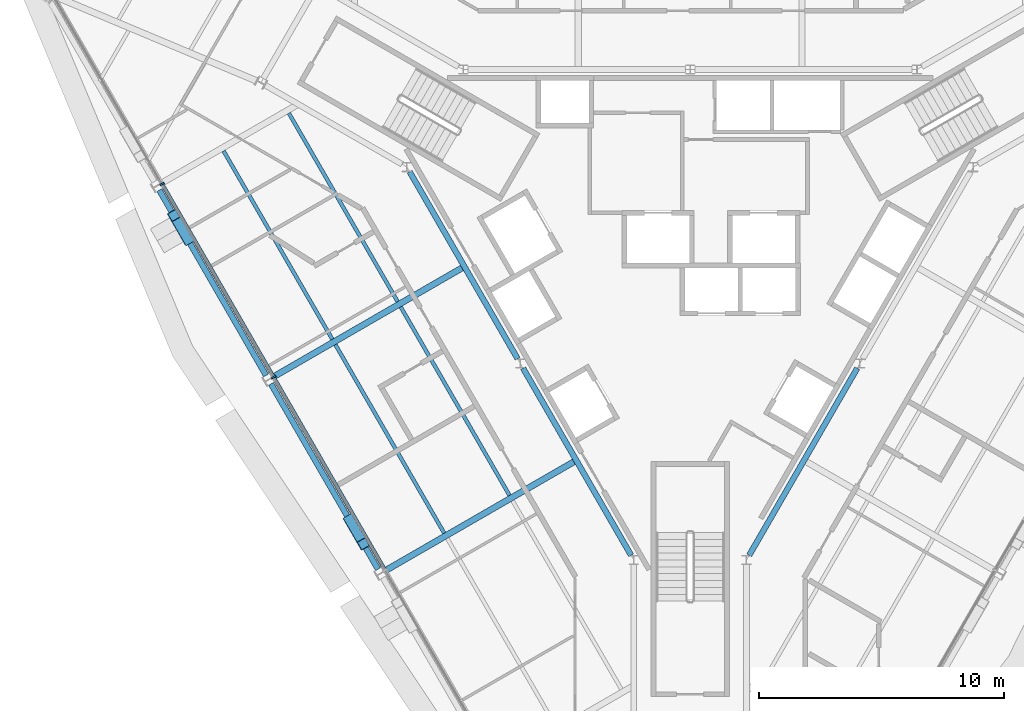
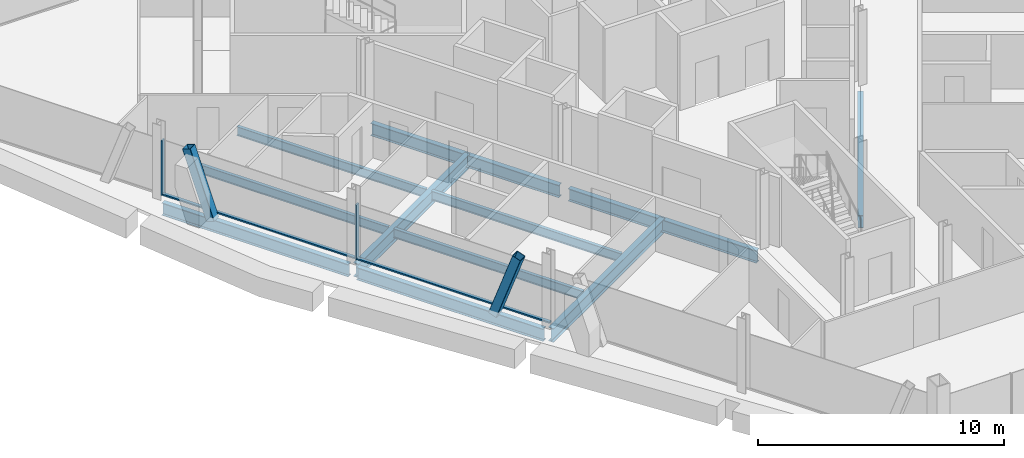
# One storey, part 4 of 15: 11 beams, 6 members, 1 element without a shape of its own.
"""IFC4 building model written with IfcOpenShell, lengths in metres."""

from ifc_helpers import new_model, si_unit, direction, frame, origin, origin_2d, place, context, subcontext, project, spatial, rectangle, hollow_rectangle, i_section, extrude, material, material_profile, profile_set, type_object, element, aggregate, save


model = new_model("IFC4")

# Units and contexts
model_context = context("Model", 3, precision=1e-05, world=origin(), true_north=direction((0.0, 1.0)))
body_context = subcontext(model_context, "Body", "Model", "MODEL_VIEW")
ifc_project = project(units=[si_unit("LENGTHUNIT", "METRE"), si_unit("AREAUNIT", "SQUARE_METRE"), si_unit("VOLUMEUNIT", "CUBIC_METRE"), si_unit("PLANEANGLEUNIT", "RADIAN"), si_unit("MASSUNIT", "GRAM", prefix="KILO")], contexts=[model_context])

# Site, building, storey
site_placement = place(None, origin())
site = spatial("IfcSite", under=ifc_project, at=site_placement, CompositionType="ELEMENT")
building_placement = place(site_placement, origin())
building = spatial("IfcBuilding", under=site, at=building_placement, Name="Verrane Prism Tower", CompositionType="ELEMENT")
storey_placement = place(building_placement, frame((0.0, 0.0, 250.800048828125)))
storey = spatial("IfcBuildingStorey", under=building, at=storey_placement, Name="L63", CompositionType="ELEMENT", Elevation=250.800048828125)

# Beams
ifc_material_1 = material(Name="Steel A992", Category="steel")
ifc_material_profile_1 = material_profile(ifc_material_1, i_section(OverallWidth=0.23046875, OverallDepth=0.6171875, WebThickness=0.01318359375, FlangeThickness=0.022216796875, FilletRadius=0.012939453125, at=origin_2d()), Name="W24x94")
ifc_profile_set_1 = profile_set([ifc_material_profile_1], Name="Steel A992")
beam_type_1 = type_object("IfcBeamType", Name="Core ring girder W24x94", PredefinedType="BEAM", material=ifc_profile_set_1)
beam_1_placement = place(storey_placement, frame((-11.448486328125, 3.826904296875, -0.55859375), z_axis=(0.499967007444, -0.866044451208, 0.0), x_axis=(0.866044451208, 0.499967007444, 0.0)))
element("IfcBeam", 1, at=beam_1_placement, inside=storey, type_object=beam_type_1, Name="Core ring girder L63", PredefinedType="BEAM", context=body_context, shape_type="SweptSolid", body=[
    extrude(i_section(OverallWidth=0.23046875, OverallDepth=0.6171875, WebThickness=0.01318359375, FlangeThickness=0.022216796875, FilletRadius=0.012939453125, at=origin_2d()), origin(), (0.0, 0.0, 1.0), 8.814453125),
])
for number, where, z_axis, x_axis, name in (
    (2, (-6.818603515625, -4.193115234375, -0.55859375), (0.499987781028, -0.866032458297, 0.0), (0.866032458297, 0.499987781028, 0.0), "Core ring girder L63"),
    (3, (2.411376953125, -11.826904296875, -0.55859375), (0.499987781028, 0.866032458297, 0.0), (-0.866032458297, 0.499987781028, 0.0), "Core ring girder L63"),
):
    element("IfcBeam", number, at=place(storey_placement, frame(where, z_axis=z_axis, x_axis=x_axis)), inside=storey, type_object=beam_type_1, Name=name, PredefinedType="BEAM", context=body_context, shape_type="SweptSolid", body=[
        extrude(i_section(OverallWidth=0.23046875, OverallDepth=0.6171875, WebThickness=0.01318359375, FlangeThickness=0.022216796875, FilletRadius=0.012939453125, at=origin_2d()), origin(), (0.0, 0.0, 1.0), 8.814697265625),
    ])

# Members
ifc_material_2 = material(Name="Steel A500 Grade C", Category="steel")
ifc_material_profile_2 = material_profile(ifc_material_2, hollow_rectangle(XDim=0.406494140625, YDim=0.406494140625, WallThickness=0.01904296875, InnerFilletRadius=0.009521484375, OuterFilletRadius=0.028564453125, at=origin_2d()), Name="HSS16x16x3/4")
ifc_profile_set_2 = profile_set([ifc_material_profile_2], Name="Steel A500 Grade C")
member_type_1 = type_object("IfcMemberType", Name="Facade brace HSS16x16x3/4", PredefinedType="BRACE", material=ifc_profile_set_2)
for number, where, z_axis, x_axis, name in (
    (4, (-20.511474609375, 1.06689453125, -0.216796875), (-0.166044267249, 0.28807419728, 0.943102623353), (-0.86638389334, -0.499378563178, 0.0), "Facade brace SW1 L63"),
    (5, (-13.9013671875, -10.386962890625, -0.216796875), (0.16639794037, -0.287990894198, 0.943065729575), (0.865860903713, 0.500284814302, 0.0), "Facade brace SW2 L63"),
):
    element("IfcMember", number, at=place(storey_placement, frame(where, z_axis=z_axis, x_axis=x_axis)), inside=storey, type_object=member_type_1, Name=name, PredefinedType="BRACE", context=body_context, shape_type="SweptSolid", body=[
        extrude(hollow_rectangle(XDim=0.406494140625, YDim=0.406494140625, WallThickness=0.01904296875, InnerFilletRadius=0.009521484375, OuterFilletRadius=0.028564453125, at=origin_2d()), origin(), (0.0, 0.0, 1.0), 3.38916015625),
    ])

# Beams
ifc_material_3 = material(Name="Steel A992", Category="steel")
ifc_material_profile_3 = material_profile(ifc_material_3, i_section(OverallWidth=0.15234375, OverallDepth=0.449462890625, WebThickness=0.007568359375, FlangeThickness=0.0107421875, FilletRadius=0.01025390625, at=origin_2d()), Name="W18x35")
ifc_profile_set_3 = profile_set([ifc_material_profile_3], Name="Steel A992")
beam_type_2 = type_object("IfcBeamType", Name="Floor beam W18x35", PredefinedType="BEAM", material=ifc_profile_set_3)
beam_2_placement = place(storey_placement, frame((-11.940185546875, -1.469970703125, -0.384765625), z_axis=(-0.500000279077, 0.866025242659, 0.0), x_axis=(-0.866025242659, -0.500000279077, 0.0)))
element("IfcBeam", 6, at=beam_2_placement, inside=storey, type_object=beam_type_2, Name="Floor beam L63", PredefinedType="BEAM", context=body_context, shape_type="SweptSolid", body=[
    extrude(i_section(OverallWidth=0.15234375, OverallDepth=0.449462890625, WebThickness=0.007568359375, FlangeThickness=0.0107421875, FilletRadius=0.01025390625, at=origin_2d()), origin(), (0.0, 0.0, 1.0), 8.87451171875),
])
beam_3_placement = place(storey_placement, frame((-14.606689453125, -3.010009765625, -0.384765625), z_axis=(-0.500005807019, 0.866022051074, 0.0), x_axis=(-0.866022051074, -0.500005807019, 0.0)))
element("IfcBeam", 7, at=beam_3_placement, inside=storey, type_object=beam_type_2, Name="Floor beam L63", PredefinedType="BEAM", context=body_context, shape_type="SweptSolid", body=[
    extrude(i_section(OverallWidth=0.15234375, OverallDepth=0.449462890625, WebThickness=0.007568359375, FlangeThickness=0.0107421875, FilletRadius=0.01025390625, at=origin_2d()), origin(), (0.0, 0.0, 1.0), 8.87548828125),
])
beam_4_placement = place(storey_placement, frame((-7.371337890625, -9.383544921875, -0.384765625), z_axis=(-0.499999195485, 0.866025868271, 0.0), x_axis=(-0.866025868271, -0.499999195485, 0.0)))
element("IfcBeam", 8, at=beam_4_placement, inside=storey, type_object=beam_type_2, Name="Floor beam L63", PredefinedType="BEAM", context=body_context, shape_type="SweptSolid", body=[
    extrude(i_section(OverallWidth=0.15234375, OverallDepth=0.449462890625, WebThickness=0.007568359375, FlangeThickness=0.0107421875, FilletRadius=0.01025390625, at=origin_2d()), origin(), (0.0, 0.0, 1.0), 8.8837890625),
])
beam_5_placement = place(storey_placement, frame((-10.03857421875, -10.92236328125, -0.384765625), z_axis=(-0.499996860793, 0.866027216199, 0.0), x_axis=(-0.866027216199, -0.499996860793, 0.0)))
element("IfcBeam", 9, at=beam_5_placement, inside=storey, type_object=beam_type_2, Name="Floor beam L63", PredefinedType="BEAM", context=body_context, shape_type="SweptSolid", body=[
    extrude(i_section(OverallWidth=0.15234375, OverallDepth=0.449462890625, WebThickness=0.007568359375, FlangeThickness=0.0107421875, FilletRadius=0.01025390625, at=origin_2d()), origin(), (0.0, 0.0, 1.0), 8.88232421875),
])

# Curtain wall, members
ifc_material_4 = material(Name="Aluminium framed insulated glazing", Category="aluminium")
curtain_wall_type = type_object("IfcCurtainWallType", Name="Curtain wall CW-A 8400 module", PredefinedType="NOTDEFINED", material=ifc_material_4)
curtain_wall_placement = place(storey_placement, origin())
curtain_wall = element("IfcCurtainWall", 10, at=curtain_wall_placement, inside=storey, type_object=curtain_wall_type, Name="Glazed curtain wall south-west face L63", PredefinedType="NOTDEFINED")
ifc_material_5 = material(Name="Aluminium alloy 6063-T6", Category="aluminium")
ifc_material_profile_4 = material_profile(ifc_material_5, rectangle(XDim=0.199951171875, YDim=0.070068359375, at=origin_2d()), Name="Mullion 70x200 aluminium")
ifc_profile_set_4 = profile_set([ifc_material_profile_4], Name="Aluminium alloy 6063-T6")
member_type_2 = type_object("IfcMemberType", Name="Mullion 70x200 aluminium", PredefinedType="MULLION", material=ifc_profile_set_4)
member_1_placement = place(storey_placement, frame((-21.55322265625, 3.32763671875, 0.0), z_axis=(0.0, 0.0, 1.0), x_axis=(0.866025525748, 0.499999788753, 0.0)))
member_1 = element("IfcMember", 11, at=member_1_placement, type_object=member_type_2, Name="CW62.4 mullion 2", PredefinedType="MULLION", context=body_context, shape_type="SweptSolid", body=[
    extrude(rectangle(XDim=0.199951171875, YDim=0.070068359375, at=origin_2d()), origin(), (0.0, 0.0, 1.0), 2.712890625),
])
member_2_placement = place(storey_placement, frame((-17.000244140625, -4.55810546875, 0.0), z_axis=(0.0, 0.0, 1.0), x_axis=(0.866025525748, 0.499999788753, 0.0)))
member_2 = element("IfcMember", 12, at=member_2_placement, type_object=member_type_2, Name="CW62.4 mullion 3", PredefinedType="MULLION", context=body_context, shape_type="SweptSolid", body=[
    extrude(rectangle(XDim=0.199951171875, YDim=0.070068359375, at=origin_2d()), origin(), (0.0, 0.0, 1.0), 2.712890625),
])

# Beams
ifc_material_6 = material(Name="Steel A992", Category="steel")
ifc_material_profile_5 = material_profile(ifc_material_6, i_section(OverallWidth=0.25390625, OverallDepth=0.683349609375, WebThickness=0.012451171875, FlangeThickness=0.01904296875, FilletRadius=0.01513671875, at=origin_2d()), Name="W27x94")
ifc_profile_set_5 = profile_set([ifc_material_profile_5], Name="Steel A992")
beam_type_3 = type_object("IfcBeamType", Name="Radial girder W27x94", PredefinedType="BEAM", material=ifc_profile_set_5)
beam_6_placement = place(storey_placement, frame((-17.042724609375, -4.5634765625, -0.561767578125), z_axis=(0.866029072754, 0.499993645104, 0.0), x_axis=(-0.499993645104, 0.866029072754, 0.0)))
element("IfcBeam", 13, at=beam_6_placement, inside=storey, type_object=beam_type_3, Name="Radial girder L63", PredefinedType="BEAM", context=body_context, shape_type="SweptSolid", body=[
    extrude(i_section(OverallWidth=0.25390625, OverallDepth=0.683349609375, WebThickness=0.012451171875, FlangeThickness=0.01904296875, FilletRadius=0.01513671875, at=origin_2d()), origin(), (0.0, 0.0, 1.0), 9.03955078125),
])
beam_7_placement = place(storey_placement, frame((-12.472900390625, -12.473388671875, -0.561767578125), z_axis=(0.866031723512, 0.499989053751, 0.0), x_axis=(-0.499989053751, 0.866031723512, 0.0)))
element("IfcBeam", 14, at=beam_7_placement, inside=storey, type_object=beam_type_3, Name="Radial girder L63", PredefinedType="BEAM", context=body_context, shape_type="SweptSolid", body=[
    extrude(i_section(OverallWidth=0.25390625, OverallDepth=0.683349609375, WebThickness=0.012451171875, FlangeThickness=0.01904296875, FilletRadius=0.01513671875, at=origin_2d()), origin(), (0.0, 0.0, 1.0), 9.036865234375),
])
ifc_material_7 = material(Name="Steel A992", Category="steel")
ifc_material_profile_6 = material_profile(ifc_material_7, i_section(OverallWidth=0.23046875, OverallDepth=0.6171875, WebThickness=0.01318359375, FlangeThickness=0.022216796875, FilletRadius=0.012939453125, at=origin_2d()), Name="W24x94")
ifc_profile_set_6 = profile_set([ifc_material_profile_6], Name="Steel A992")
beam_type_4 = type_object("IfcBeamType", Name="Spandrel beam W24x94", PredefinedType="SPANDREL", material=ifc_profile_set_6)
beam_8_placement = place(storey_placement, frame((-21.67041015625, 3.077392578125, -0.46875), z_axis=(0.499429538444, -0.866354509499, 0.0), x_axis=(0.866354509499, 0.499429538444, 0.0)))
element("IfcBeam", 15, at=beam_8_placement, inside=storey, type_object=beam_type_4, Name="Spandrel beam L63", PredefinedType="SPANDREL", context=body_context, shape_type="SweptSolid", body=[
    extrude(i_section(OverallWidth=0.23046875, OverallDepth=0.6171875, WebThickness=0.01318359375, FlangeThickness=0.022216796875, FilletRadius=0.012939453125, at=origin_2d()), origin(), (0.0, 0.0, 1.0), 8.731689453125),
])
beam_9_placement = place(storey_placement, frame((-17.1103515625, -4.83251953125, -0.46875), z_axis=(0.500256181805, -0.865877446621, 0.0), x_axis=(0.865877446621, 0.500256181805, 0.0)))
element("IfcBeam", 16, at=beam_9_placement, inside=storey, type_object=beam_type_4, Name="Spandrel beam L63", PredefinedType="SPANDREL", context=body_context, shape_type="SweptSolid", body=[
    extrude(i_section(OverallWidth=0.23046875, OverallDepth=0.6171875, WebThickness=0.01318359375, FlangeThickness=0.022216796875, FilletRadius=0.012939453125, at=origin_2d()), origin(), (0.0, 0.0, 1.0), 8.73681640625),
])

# Member
ifc_material_8 = material(Name="Aluminium alloy 6063-T6", Category="aluminium")
ifc_material_profile_7 = material_profile(ifc_material_8, rectangle(XDim=0.14990234375, YDim=0.070068359375, at=origin_2d()), Name="Transom 70x150 aluminium")
ifc_profile_set_7 = profile_set([ifc_material_profile_7], Name="Aluminium alloy 6063-T6")
member_type_3 = type_object("IfcMemberType", Name="Transom 70x150 aluminium", PredefinedType="USERDEFINED", material=ifc_profile_set_7)
member_3_placement = place(storey_placement, frame((-21.53564453125, 3.29736328125, 0.034912109375), z_axis=(0.499995322353, -0.866028104408, 0.0), x_axis=(0.866028104408, 0.499995322353, 0.0)))
member_3 = element("IfcMember", 17, at=member_3_placement, type_object=member_type_3, Name="CW62.4 transom 2", ObjectType="TRANSOM", PredefinedType="USERDEFINED", context=body_context, shape_type="SweptSolid", body=[
    extrude(rectangle(XDim=0.14990234375, YDim=0.070068359375, at=origin_2d()), origin(), (0.0, 0.0, 1.0), 9.03564453125),
])

member_4_placement = place(storey_placement, frame((-16.98291015625, -4.58837890625, 0.034912109375), z_axis=(0.500007022283, -0.866021349429, 0.0), x_axis=(0.866021349429, 0.500007022283, 0.0)))
member_4 = element("IfcMember", 18, at=member_4_placement, type_object=member_type_3, Name="CW62.4 transom 3", ObjectType="TRANSOM", PredefinedType="USERDEFINED", context=body_context, shape_type="SweptSolid", body=[
    extrude(rectangle(XDim=0.14990234375, YDim=0.070068359375, at=origin_2d()), origin(), (0.0, 0.0, 1.0), 9.035400390625),
])

aggregate(curtain_wall, [member_1, member_2, member_3, member_4])

save(model, "model.ifc")
